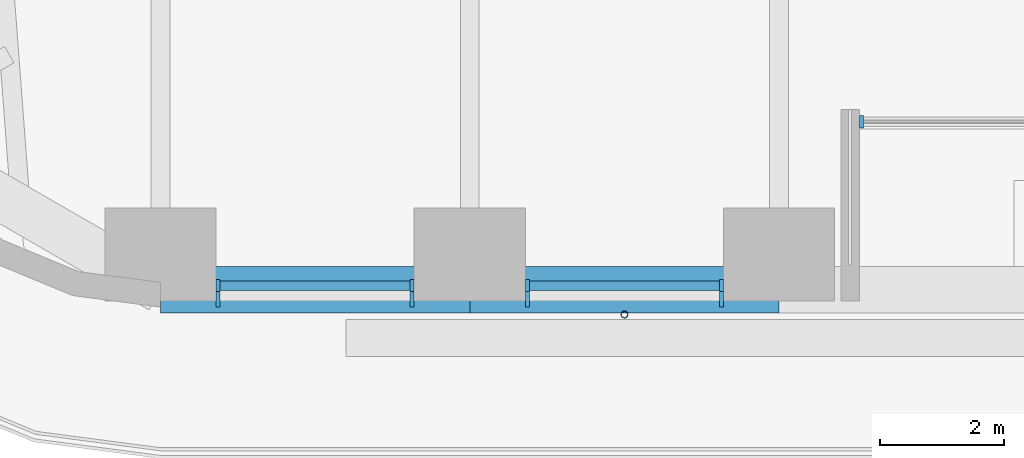
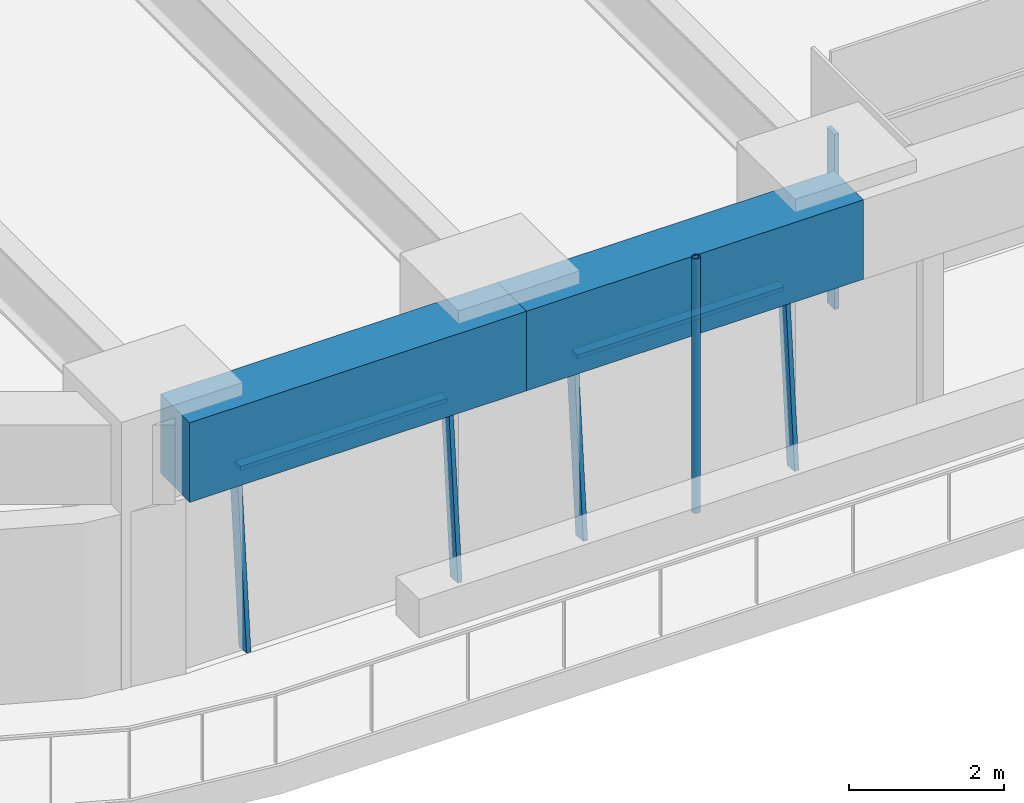
# One storey, part 2 of 24: 8 members, 2 beams, 3 elements without a shape of their own.
"""IFC4 building model written with IfcOpenShell, lengths in metres."""

from ifc_helpers import new_model, si_unit, direction, frame, origin, origin_2d, place, context, subcontext, project, spatial, rectangle, hollow_circle, extrude, material, material_profile, profile_set, type_object, element, aggregate, save


model = new_model("IFC4")

# Units and contexts
model_context = context("Model", 3, precision=1e-05, world=origin(), true_north=direction((0.0, 1.0)))
body_context = subcontext(model_context, "Body", "Model", "MODEL_VIEW")
ifc_project = project(units=[si_unit("LENGTHUNIT", "METRE"), si_unit("AREAUNIT", "SQUARE_METRE"), si_unit("VOLUMEUNIT", "CUBIC_METRE"), si_unit("PLANEANGLEUNIT", "RADIAN"), si_unit("MASSUNIT", "GRAM", prefix="KILO")], contexts=[model_context])

# Site, building, storey
site_placement = place(None, origin())
site = spatial("IfcSite", under=ifc_project, at=site_placement, CompositionType="ELEMENT")
building_placement = place(site_placement, origin())
building = spatial("IfcBuilding", under=site, at=building_placement, Name="Tarfa Lantern Tower", CompositionType="ELEMENT")
storey_placement = place(building_placement, frame((0.0, 0.0, 136.300048828125)))
storey = spatial("IfcBuildingStorey", under=building, at=storey_placement, Name="L30", CompositionType="ELEMENT", Elevation=136.300048828125)

# Curtain wall, members
ifc_material_1 = material(Name="Aluminium framed curtain wall", Category="aluminium")
curtain_wall_type_1 = type_object("IfcCurtainWallType", Name="CW2 CANTED GLAZING MID ZONE 2750", PredefinedType="USERDEFINED", material=ifc_material_1)
curtain_wall_1_placement = place(storey_placement, origin())
curtain_wall_1 = element("IfcCurtainWall", 1, at=curtain_wall_1_placement, inside=storey, type_object=curtain_wall_type_1, Name="CW2 S L30", ObjectType="CURTAIN WALL", PredefinedType="USERDEFINED")
ifc_material_2 = material(Name="Aluminium mullion", Category="aluminium")
ifc_material_profile_1 = material_profile(ifc_material_2, rectangle(XDim=0.06494140625, YDim=0.199951171875, at=origin_2d()), Name="AL MULLION 65x200")
ifc_profile_set_1 = profile_set([ifc_material_profile_1], Name="Aluminium mullion")
member_type_1 = type_object("IfcMemberType", Name="CWM1 MULLION 65x200", PredefinedType="MULLION", material=ifc_profile_set_1)
member_1_placement = place(storey_placement, frame((-14.07861328125, -31.39990234375, 0.0), z_axis=(0.0, 0.090535746043, 0.995893206468), x_axis=(-1.0, 0.0, 0.0)))
member_1 = element("IfcMember", 2, at=member_1_placement, type_object=member_type_1, Name="CW2 mullion 1", PredefinedType="MULLION", context=body_context, shape_type="SweptSolid", body=[
    extrude(rectangle(XDim=0.06494140625, YDim=0.199951171875, at=origin_2d()), origin(), (0.0, 0.0, 1.0), 2.76123046875),
])
member_2_placement = place(storey_placement, frame((-10.93994140625, -31.39990234375, 0.0), z_axis=(0.0, 0.090535746043, 0.995893206468), x_axis=(-1.0, 0.0, 0.0)))
member_2 = element("IfcMember", 3, at=member_2_placement, type_object=member_type_1, Name="CW2 mullion 2", PredefinedType="MULLION", context=body_context, shape_type="SweptSolid", body=[
    extrude(rectangle(XDim=0.06494140625, YDim=0.199951171875, at=origin_2d()), origin(), (0.0, 0.0, 1.0), 2.76123046875),
])

curtain_wall_2_placement = place(storey_placement, origin())
curtain_wall_2 = element("IfcCurtainWall", 4, at=curtain_wall_2_placement, inside=storey, type_object=curtain_wall_type_1, Name="CW2 S L30", ObjectType="CURTAIN WALL", PredefinedType="USERDEFINED")
member_3_placement = place(storey_placement, frame((-9.074951171875, -31.39990234375, 0.0), z_axis=(0.0, 0.090535746043, 0.995893206468), x_axis=(-1.0, 0.0, 0.0)))
member_3 = element("IfcMember", 5, at=member_3_placement, type_object=member_type_1, Name="CW2 mullion 1", PredefinedType="MULLION", context=body_context, shape_type="SweptSolid", body=[
    extrude(rectangle(XDim=0.06494140625, YDim=0.199951171875, at=origin_2d()), origin(), (0.0, 0.0, 1.0), 2.76123046875),
])
member_4_placement = place(storey_placement, frame((-5.936279296875, -31.39990234375, 0.0), z_axis=(0.0, 0.090535746043, 0.995893206468), x_axis=(-1.0, 0.0, 0.0)))
member_4 = element("IfcMember", 6, at=member_4_placement, type_object=member_type_1, Name="CW2 mullion 2", PredefinedType="MULLION", context=body_context, shape_type="SweptSolid", body=[
    extrude(rectangle(XDim=0.06494140625, YDim=0.199951171875, at=origin_2d()), origin(), (0.0, 0.0, 1.0), 2.76123046875),
])

# Curtain wall, member
curtain_wall_type_2 = type_object("IfcCurtainWallType", Name="CW10 LOGGIA GLAZING 2750", PredefinedType="USERDEFINED", material=ifc_material_1)
curtain_wall_3_placement = place(storey_placement, origin())
curtain_wall_3 = element("IfcCurtainWall", 7, at=curtain_wall_3_placement, inside=storey, type_object=curtain_wall_type_2, Name="CW10 SL L30", ObjectType="CURTAIN WALL", PredefinedType="USERDEFINED")
member_5_placement = place(storey_placement, frame((-3.671142578125, -28.5, 0.0), z_axis=(0.0, 0.0, 1.0), x_axis=(1.0, 0.0, 0.0)))
member_5 = element("IfcMember", 8, at=member_5_placement, type_object=member_type_1, Name="CW10 mullion 1", PredefinedType="MULLION", context=body_context, shape_type="SweptSolid", body=[
    extrude(rectangle(XDim=0.06494140625, YDim=0.199951171875, at=origin_2d()), origin(), (0.0, 0.0, 1.0), 2.75),
])
aggregate(curtain_wall_3, [member_5])

# Member
ifc_material_3 = material(Name="Aluminium transom", Category="aluminium")
ifc_material_profile_2 = material_profile(ifc_material_3, rectangle(XDim=0.14990234375, YDim=0.06494140625, at=origin_2d()), Name="AL TRANSOM 150x65")
ifc_profile_set_2 = profile_set([ifc_material_profile_2], Name="Aluminium transom")
member_type_2 = type_object("IfcMemberType", Name="CWT1 TRANSOM 150x65", PredefinedType="USERDEFINED", material=ifc_profile_set_2)
member_6_placement = place(storey_placement, frame((-14.046142578125, -31.153076171875, 2.717529296875), z_axis=(1.0, 0.0, 0.0), x_axis=(0.0, 1.0, 0.0)))
member_6 = element("IfcMember", 9, at=member_6_placement, type_object=member_type_2, Name="CW2 transom 1.2", ObjectType="TRANSOM", PredefinedType="USERDEFINED", context=body_context, shape_type="SweptSolid", body=[
    extrude(rectangle(XDim=0.14990234375, YDim=0.06494140625, at=origin_2d()), origin(), (0.0, 0.0, 1.0), 3.07373046875),
])

aggregate(curtain_wall_1, [member_1, member_2, member_6])

member_7_placement = place(storey_placement, frame((-9.04248046875, -31.153076171875, 2.717529296875), z_axis=(1.0, 0.0, 0.0), x_axis=(0.0, 1.0, 0.0)))
member_7 = element("IfcMember", 10, at=member_7_placement, type_object=member_type_2, Name="CW2 transom 1.2", ObjectType="TRANSOM", PredefinedType="USERDEFINED", context=body_context, shape_type="SweptSolid", body=[
    extrude(rectangle(XDim=0.14990234375, YDim=0.06494140625, at=origin_2d()), origin(), (0.0, 0.0, 1.0), 3.07373046875),
])

aggregate(curtain_wall_2, [member_3, member_4, member_7])

# Beams
ifc_material_4 = material(Name="Concrete C80/95", Category="concrete")
ifc_material_profile_3 = material_profile(ifc_material_4, rectangle(XDim=0.75, YDim=1.25, at=origin_2d()), Name="RC 750x1250")
ifc_profile_set_3 = profile_set([ifc_material_profile_3], Name="Concrete C80/95")
beam_type = type_object("IfcBeamType", Name="EB2 RC 750x1250", PredefinedType="SPANDREL", material=ifc_profile_set_3)
for number, where, z_axis, x_axis, name in (
    (11, (-15.010986328125, -31.219970703125, 3.375), (1.0, 0.0, 0.0), (0.0, 1.0, 0.0), "Edge beam S0"),
    (12, (-10.00732421875, -31.219970703125, 3.375), (1.0, 0.0, 0.0), (0.0, 1.0, 0.0), "Edge beam S1"),
):
    element("IfcBeam", number, at=place(storey_placement, frame(where, z_axis=z_axis, x_axis=x_axis)), inside=storey, type_object=beam_type, Name=name, PredefinedType="SPANDREL", context=body_context, shape_type="SweptSolid", body=[
        extrude(rectangle(XDim=0.75, YDim=1.25, at=origin_2d()), origin(), (0.0, 0.0, 1.0), 5.003662109375),
    ])

# Member
ifc_material_5 = material(Name="Steel S355", Category="steel")
ifc_material_profile_4 = material_profile(ifc_material_5, hollow_circle(Radius=0.05712890625, WallThickness=0.00634765625, at=origin_2d()), Name="CHS114.3x6.3")
ifc_profile_set_4 = profile_set([ifc_material_profile_4], Name="Steel S355")
member_type_3 = type_object("IfcMemberType", Name="TR1 GREEN WALL TRELLIS CHS114.3x6.3", PredefinedType="USERDEFINED", material=ifc_profile_set_4)
member_8_placement = place(storey_placement, frame((-7.505615234375, -31.6201171875, 0.0), z_axis=(0.0, 0.0, 1.0), x_axis=(1.0, 0.0, 0.0)))
element("IfcMember", 13, at=member_8_placement, inside=storey, type_object=member_type_3, Name="Trellis post S 1", ObjectType="TRELLIS", PredefinedType="USERDEFINED", context=body_context, shape_type="SweptSolid", body=[
    extrude(hollow_circle(Radius=0.05712890625, WallThickness=0.00634765625, at=origin_2d()), origin(), (0.0, 0.0, 1.0), 4.0),
])

save(model, "model.ifc")
